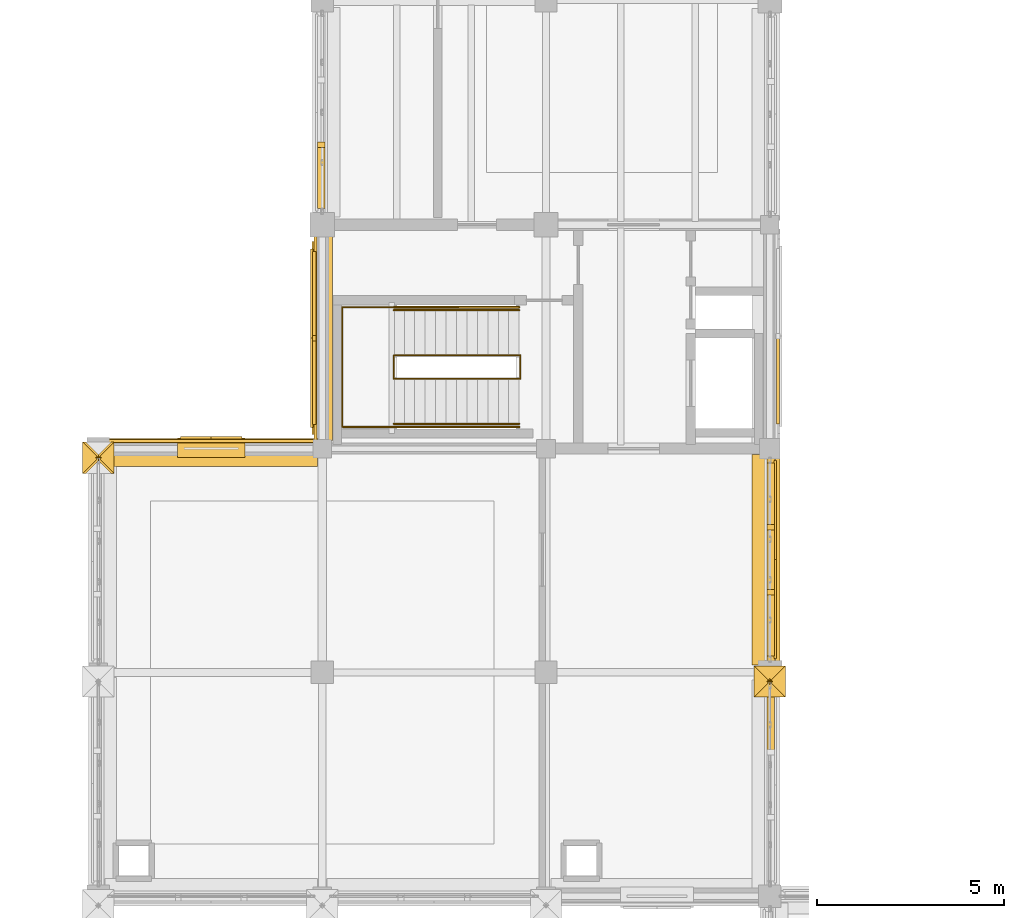
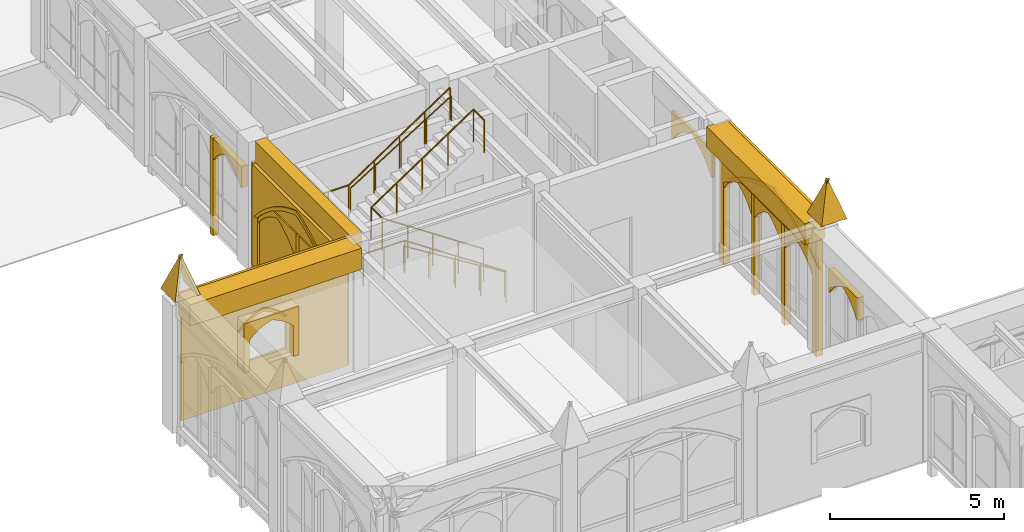
# One storey, part 91 of 127: 31 coverings, 6 railings.
"""IFC4 building model written with IfcOpenShell, lengths in metres."""

from ifc_helpers import new_model, si_unit, direction, frame, origin, origin_2d, place, context, subcontext, project, spatial, polyline, rectangle, circle, outline, extrude, material, type_object, element, save


model = new_model("IFC4")

# Units and contexts
model_context = context("Model", 3, precision=1e-05, world=origin(), true_north=direction((0.0, 1.0)))
body_context = subcontext(model_context, "Body", "Model", "MODEL_VIEW")
ifc_project = project(units=[si_unit("LENGTHUNIT", "METRE"), si_unit("AREAUNIT", "SQUARE_METRE"), si_unit("VOLUMEUNIT", "CUBIC_METRE"), si_unit("PLANEANGLEUNIT", "RADIAN"), si_unit("MASSUNIT", "GRAM", prefix="KILO")], contexts=[model_context])

# Site, building, storey
site_placement = place(None, origin())
site = spatial("IfcSite", under=ifc_project, at=site_placement, CompositionType="ELEMENT")
building_placement = place(site_placement, origin())
building = spatial("IfcBuilding", under=site, at=building_placement, Name="Cumevento Cable Car Station", CompositionType="ELEMENT")
storey_placement = place(building_placement, frame((0.0, 0.0, 4.5)))
storey = spatial("IfcBuildingStorey", under=building, at=storey_placement, Name="L02", CompositionType="ELEMENT", Elevation=4.5)

# Railings
ifc_material_1 = material(Name="Painted Galvanised Architectural Steel", Category="steel")
railing_type_1 = type_object("IfcRailingType", Name="Stair Guardrail GR-S115", PredefinedType="GUARDRAIL", material=ifc_material_1)
railing_1_placement = place(storey_placement, frame((15.280029296875, 28.8701171875, 0.0)))
element("IfcRailing", 1, at=railing_1_placement, inside=storey, type_object=railing_type_1, Name="Stair Well Inner Guardrail ST-03-L02", PredefinedType="GUARDRAIL", context=body_context, shape_type="SweptSolid", body=[
    extrude(circle(Radius=0.02392578125, at=origin_2d()), frame((0.0, 0.0, 1.1259765625), z_axis=(-0.830915400975, 0.0, 0.556398774641), x_axis=(0.0, -1.0, 0.0)), (0.0, 0.0, 1.0), 4.0439453125),
    extrude(circle(Radius=0.02392578125, at=origin_2d()), frame((-3.360107421875, 0.0, 3.3759765625), z_axis=(0.0, 1.0, 0.0), x_axis=(-1.0, 0.0, 0.0)), (0.0, 0.0, 1.0), 0.6298828125),
    extrude(circle(Radius=0.02392578125, at=origin_2d()), frame((-3.360107421875, 0.6298828125, 3.3759765625), z_axis=(0.833193183746, 0.0, 0.552982023722), x_axis=(0.0, 1.0, 0.0)), (0.0, 0.0, 1.0), 4.06884765625),
    extrude(circle(Radius=0.02392578125, at=origin_2d()), frame((0.030029296875, 0.6298828125, 5.6259765625), z_axis=(0.0, -1.0, 0.0), x_axis=(1.0, 0.0, 0.0)), (0.0, 0.0, 1.0), 0.6298828125),
    extrude(circle(Radius=0.02001953125, at=origin_2d()), origin(), (0.0, 0.0, 1.0), 1.101806640625),
    extrude(circle(Radius=0.02001953125, at=origin_2d()), frame((-0.840087890625, 0.0, 0.5625)), (0.0, 0.0, 1.0), 1.101806640625),
    extrude(circle(Radius=0.02001953125, at=origin_2d()), frame((-1.68017578125, 0.0, 1.125)), (0.0, 0.0, 1.0), 1.101806640625),
    extrude(circle(Radius=0.02001953125, at=origin_2d()), frame((-2.52001953125, 0.0, 1.6875)), (0.0, 0.0, 1.0), 1.101806640625),
    extrude(circle(Radius=0.02001953125, at=origin_2d()), frame((-3.360107421875, 0.0, 2.25)), (0.0, 0.0, 1.0), 1.101806640625),
    extrude(circle(Radius=0.02001953125, at=origin_2d()), frame((-3.360107421875, 0.6298828125, 2.25)), (0.0, 0.0, 1.0), 1.101806640625),
    extrude(circle(Radius=0.02001953125, at=origin_2d()), frame((-2.5126953125, 0.6298828125, 2.8125)), (0.0, 0.0, 1.0), 1.101806640625),
    extrude(circle(Radius=0.02001953125, at=origin_2d()), frame((-1.6650390625, 0.6298828125, 3.375)), (0.0, 0.0, 1.0), 1.101806640625),
    extrude(circle(Radius=0.02001953125, at=origin_2d()), frame((-0.8173828125, 0.6298828125, 3.9375)), (0.0, 0.0, 1.0), 1.101806640625),
    extrude(circle(Radius=0.02001953125, at=origin_2d()), frame((0.030029296875, 0.6298828125, 4.5)), (0.0, 0.0, 1.0), 1.101806640625),
    extrude(circle(Radius=0.02001953125, at=origin_2d()), frame((0.030029296875, 0.0, 4.5)), (0.0, 0.0, 1.0), 1.101806640625),
])
railing_2_placement = place(storey_placement, frame((11.919921875, 27.580078125, 2.25)))
element("IfcRailing", 2, at=railing_2_placement, inside=storey, type_object=railing_type_1, Name="Stair Half-Landing Guardrail ST-03-L02", PredefinedType="GUARDRAIL", context=body_context, shape_type="SweptSolid", body=[
    extrude(circle(Radius=0.02392578125, at=origin_2d()), frame((0.0, 0.0, 1.1259765625), z_axis=(-1.0, 0.0, 0.0), x_axis=(0.0, -1.0, 0.0)), (0.0, 0.0, 1.0), 1.3798828125),
    extrude(circle(Radius=0.02392578125, at=origin_2d()), frame((-1.3798828125, 0.0, 1.1259765625), z_axis=(0.0, 1.0, 0.0), x_axis=(-1.0, 0.0, 0.0)), (0.0, 0.0, 1.0), 3.2099609375),
    extrude(circle(Radius=0.02392578125, at=origin_2d()), frame((-1.3798828125, 3.2099609375, 1.1259765625), z_axis=(1.0, 0.0, 0.0), x_axis=(0.0, 1.0, 0.0)), (0.0, 0.0, 1.0), 1.3798828125),
    extrude(circle(Radius=0.02001953125, at=origin_2d()), origin(), (0.0, 0.0, 1.0), 1.101806640625),
    extrude(circle(Radius=0.02001953125, at=origin_2d()), frame((-0.68994140625, 0.0, 0.0)), (0.0, 0.0, 1.0), 1.101806640625),
    extrude(circle(Radius=0.02001953125, at=origin_2d()), frame((-1.3798828125, 0.0, 0.0)), (0.0, 0.0, 1.0), 1.101806640625),
    extrude(circle(Radius=0.02001953125, at=origin_2d()), frame((-1.3798828125, 0.802490234375, 0.0)), (0.0, 0.0, 1.0), 1.101806640625),
    extrude(circle(Radius=0.02001953125, at=origin_2d()), frame((-1.3798828125, 1.60498046875, 0.0)), (0.0, 0.0, 1.0), 1.101806640625),
    extrude(circle(Radius=0.02001953125, at=origin_2d()), frame((-1.3798828125, 2.407470703125, 0.0)), (0.0, 0.0, 1.0), 1.101806640625),
    extrude(circle(Radius=0.02001953125, at=origin_2d()), frame((-1.3798828125, 3.2099609375, 0.0)), (0.0, 0.0, 1.0), 1.101806640625),
    extrude(circle(Radius=0.02001953125, at=origin_2d()), frame((-0.68994140625, 3.2099609375, 0.0)), (0.0, 0.0, 1.0), 1.101806640625),
    extrude(circle(Radius=0.02001953125, at=origin_2d()), frame((0.0, 3.2099609375, 0.0)), (0.0, 0.0, 1.0), 1.101806640625),
])
railing_3_placement = place(storey_placement, frame((15.280029296875, 27.580078125, 0.0)))
element("IfcRailing", 3, at=railing_3_placement, inside=storey, type_object=railing_type_1, Name="Stair Outer Guardrail ST-03-L02 F1", PredefinedType="GUARDRAIL", context=body_context, shape_type="SweptSolid", body=[
    extrude(circle(Radius=0.02392578125, at=origin_2d()), frame((0.0, 0.0, 1.1259765625), z_axis=(-0.830915400975, 0.0, 0.556398774641), x_axis=(0.0, -1.0, 0.0)), (0.0, 0.0, 1.0), 4.0439453125),
    extrude(circle(Radius=0.02001953125, at=origin_2d()), origin(), (0.0, 0.0, 1.0), 1.101806640625),
    extrude(circle(Radius=0.02001953125, at=origin_2d()), frame((-0.840087890625, 0.0, 0.5625)), (0.0, 0.0, 1.0), 1.101806640625),
    extrude(circle(Radius=0.02001953125, at=origin_2d()), frame((-1.68017578125, 0.0, 1.125)), (0.0, 0.0, 1.0), 1.101806640625),
    extrude(circle(Radius=0.02001953125, at=origin_2d()), frame((-2.52001953125, 0.0, 1.6875)), (0.0, 0.0, 1.0), 1.101806640625),
    extrude(circle(Radius=0.02001953125, at=origin_2d()), frame((-3.360107421875, 0.0, 2.25)), (0.0, 0.0, 1.0), 1.101806640625),
])
railing_4_placement = place(storey_placement, frame((11.919921875, 30.7900390625, 2.25)))
element("IfcRailing", 4, at=railing_4_placement, inside=storey, type_object=railing_type_1, Name="Stair Outer Guardrail ST-03-L02 F2", PredefinedType="GUARDRAIL", context=body_context, shape_type="SweptSolid", body=[
    extrude(circle(Radius=0.02392578125, at=origin_2d()), frame((0.0, 0.0, 1.1259765625), z_axis=(0.830915400975, 0.0, 0.556398774641), x_axis=(0.0, 1.0, 0.0)), (0.0, 0.0, 1.0), 4.0439453125),
    extrude(circle(Radius=0.02001953125, at=origin_2d()), origin(), (0.0, 0.0, 1.0), 1.101806640625),
    extrude(circle(Radius=0.02001953125, at=origin_2d()), frame((0.840087890625, 0.0, 0.5625)), (0.0, 0.0, 1.0), 1.101806640625),
    extrude(circle(Radius=0.02001953125, at=origin_2d()), frame((1.68017578125, 0.0, 1.125)), (0.0, 0.0, 1.0), 1.101806640625),
    extrude(circle(Radius=0.02001953125, at=origin_2d()), frame((2.52001953125, 0.0, 1.6875)), (0.0, 0.0, 1.0), 1.101806640625),
    extrude(circle(Radius=0.02001953125, at=origin_2d()), frame((3.360107421875, 0.0, 2.25)), (0.0, 0.0, 1.0), 1.101806640625),
])
ifc_material_2 = material(Name="Brushed Stainless Steel Handrail Tube", Category="steel")
railing_type_2 = type_object("IfcRailingType", Name="Stair Handrail HR-090", PredefinedType="HANDRAIL", material=ifc_material_2)
railing_5_placement = place(storey_placement, frame((15.280029296875, 27.659912109375, 0.17626953125)))
element("IfcRailing", 5, at=railing_5_placement, inside=storey, type_object=railing_type_2, Name="Stair Pitch Handrail ST-03-L02 F1", PredefinedType="HANDRAIL", context=body_context, shape_type="SweptSolid", body=[
    extrude(circle(Radius=0.02099609375, at=origin_2d()), frame((0.0, 0.0, 0.87890625), z_axis=(-0.850623216509, 0.0, 0.525775754039), x_axis=(0.0, -1.0, 0.0)), (0.0, 0.0, 1.0), 3.9501953125),
    extrude(circle(Radius=0.01611328125, at=origin_2d()), origin(), (0.0, 0.0, 1.0), 0.85791015625),
    extrude(circle(Radius=0.01611328125, at=origin_2d()), frame((-0.840087890625, 0.0, 0.519287109375)), (0.0, 0.0, 1.0), 0.85791015625),
    extrude(circle(Radius=0.01611328125, at=origin_2d()), frame((-1.68017578125, 0.0, 1.03857421875)), (0.0, 0.0, 1.0), 0.85791015625),
    extrude(circle(Radius=0.01611328125, at=origin_2d()), frame((-2.52001953125, 0.0, 1.5576171875)), (0.0, 0.0, 1.0), 0.85791015625),
    extrude(circle(Radius=0.01611328125, at=origin_2d()), frame((-3.360107421875, 0.0, 2.076904296875)), (0.0, 0.0, 1.0), 0.85791015625),
])
railing_6_placement = place(storey_placement, frame((11.919921875, 30.7099609375, 2.42626953125)))
element("IfcRailing", 6, at=railing_6_placement, inside=storey, type_object=railing_type_2, Name="Stair Pitch Handrail ST-03-L02 F2", PredefinedType="HANDRAIL", context=body_context, shape_type="SweptSolid", body=[
    extrude(circle(Radius=0.02099609375, at=origin_2d()), frame((0.0, 0.0, 0.87890625), z_axis=(0.850623216509, 0.0, 0.525775754039), x_axis=(0.0, 1.0, 0.0)), (0.0, 0.0, 1.0), 3.9501953125),
    extrude(circle(Radius=0.01611328125, at=origin_2d()), origin(), (0.0, 0.0, 1.0), 0.85791015625),
    extrude(circle(Radius=0.01611328125, at=origin_2d()), frame((0.840087890625, 0.0, 0.519287109375)), (0.0, 0.0, 1.0), 0.85791015625),
    extrude(circle(Radius=0.01611328125, at=origin_2d()), frame((1.68017578125, 0.0, 1.03857421875)), (0.0, 0.0, 1.0), 0.85791015625),
    extrude(circle(Radius=0.01611328125, at=origin_2d()), frame((2.52001953125, 0.0, 1.5576171875)), (0.0, 0.0, 1.0), 0.85791015625),
    extrude(circle(Radius=0.01611328125, at=origin_2d()), frame((3.360107421875, 0.0, 2.076904296875)), (0.0, 0.0, 1.0), 0.85791015625),
])

# Coverings
ifc_material_3 = material(Name="Gnaisse Facoidal Stone Ashlar 85 MPa", Category="masonry")
covering_type = type_object("IfcCoveringType", Name="Gnaisse Ashlar Cladding CV-CL01", PredefinedType="CLADDING", material=ifc_material_3)
covering_1_placement = place(storey_placement, frame((4.419921875, 27.175048828125, 4.8701171875), z_axis=(0.951573760476, 0.0, 0.30742052367), x_axis=(0.0, -1.0, 0.0)))
element("IfcCovering", 7, at=covering_1_placement, inside=storey, type_object=covering_type, Name="Gothic Buttress Pinnacle Spire Facet 2 bt:4.0:27.0", PredefinedType="CLADDING", context=body_context, shape_type="SweptSolid", body=[
    extrude(outline(polyline([(0.0, 0.0), (0.840087890625, 0.0), (0.420166015625, -1.3659526370817139), (0.0, 0.0)])), origin(), (0.0, 0.0, -1.0), 0.0849609375),
])
covering_2_placement = place(storey_placement, frame((3.580078125, 26.3349609375, 4.8701171875), z_axis=(-0.951573760476, 0.0, 0.30742052367), x_axis=(0.0, 1.0, 0.0)))
element("IfcCovering", 8, at=covering_2_placement, inside=storey, type_object=covering_type, Name="Gothic Buttress Pinnacle Spire Facet 4 bt:4.0:27.0", PredefinedType="CLADDING", context=body_context, shape_type="SweptSolid", body=[
    extrude(outline(polyline([(0.0, 0.0), (0.840087890625, 0.0), (0.419921875, -1.3659526370817139), (0.0, 0.0)])), origin(), (0.0, 0.0, -1.0), 0.0849609375),
])
covering_3_placement = place(storey_placement, frame((21.580078125, 21.175048828125, 4.8701171875), z_axis=(0.0, 0.951521464273, 0.307582351618), x_axis=(1.0, 0.0, 0.0)))
element("IfcCovering", 9, at=covering_3_placement, inside=storey, type_object=covering_type, Name="Gothic Buttress Pinnacle Spire Facet 1 bt:22.0:21.0", PredefinedType="CLADDING", context=body_context, shape_type="SweptSolid", body=[
    extrude(outline(polyline([(0.0, 0.0), (0.83984375, 0.0), (0.419921875, -1.3660277106754315), (0.0, 0.0)])), origin(), (0.0, 0.0, -1.0), 0.0849609375),
])
covering_4_placement = place(storey_placement, frame((22.419921875, 21.175048828125, 4.8701171875), z_axis=(0.951573760476, 0.0, 0.30742052367), x_axis=(0.0, -1.0, 0.0)))
element("IfcCovering", 10, at=covering_4_placement, inside=storey, type_object=covering_type, Name="Gothic Buttress Pinnacle Spire Facet 2 bt:22.0:21.0", PredefinedType="CLADDING", context=body_context, shape_type="SweptSolid", body=[
    extrude(outline(polyline([(0.0, 0.0), (0.840087890625, 0.0), (0.420166015625, -1.3659526370817139), (0.0, 0.0)])), origin(), (0.0, 0.0, -1.0), 0.0849609375),
])
covering_5_placement = place(storey_placement, frame((22.419921875, 20.3349609375, 4.8701171875), z_axis=(0.0, -0.951573760476, 0.30742052367), x_axis=(-1.0, 0.0, 0.0)))
element("IfcCovering", 11, at=covering_5_placement, inside=storey, type_object=covering_type, Name="Gothic Buttress Pinnacle Spire Facet 3 bt:22.0:21.0", PredefinedType="CLADDING", context=body_context, shape_type="SweptSolid", body=[
    extrude(outline(polyline([(0.0, 0.0), (0.83984375, 0.0), (0.419921875, -1.3659526370817139), (0.0, 0.0)])), origin(), (0.0, 0.0, -1.0), 0.0849609375),
])
covering_6_placement = place(storey_placement, frame((21.580078125, 20.3349609375, 4.8701171875), z_axis=(-0.951573760476, 0.0, 0.30742052367), x_axis=(0.0, 1.0, 0.0)))
element("IfcCovering", 12, at=covering_6_placement, inside=storey, type_object=covering_type, Name="Gothic Buttress Pinnacle Spire Facet 4 bt:22.0:21.0", PredefinedType="CLADDING", context=body_context, shape_type="SweptSolid", body=[
    extrude(outline(polyline([(0.0, 0.0), (0.840087890625, 0.0), (0.419921875, -1.3659526370817139), (0.0, 0.0)])), origin(), (0.0, 0.0, -1.0), 0.0849609375),
])
covering_7_placement = place(storey_placement, frame((7.02490234375, 26.85009765625, 3.718017578125), z_axis=(0.0, 0.0, 1.0), x_axis=(1.0, 0.0, 0.0)))
element("IfcCovering", 13, at=covering_7_placement, inside=storey, type_object=covering_type, Name="Gothic Stone Spandrel Stringcourse sc:0337", PredefinedType="CLADDING", context=body_context, shape_type="SweptSolid", body=[
    extrude(rectangle(XDim=5.68994140625, YDim=0.659912109375, at=origin_2d()), origin(), (0.0, 0.0, 1.0), 0.7470703125),
])
covering_8_placement = place(storey_placement, frame((7.02490234375, 27.20751953125, 4.3349609375), z_axis=(0.0, 0.0, 1.0), x_axis=(1.0, 0.0, 0.0)))
element("IfcCovering", 14, at=covering_8_placement, inside=storey, type_object=covering_type, Name="Gothic Cornice Dripstone Lip sc:0337", PredefinedType="CLADDING", context=body_context, shape_type="SweptSolid", body=[
    extrude(rectangle(XDim=5.72998046875, YDim=0.114990234375, at=origin_2d()), origin(), (0.0, 0.0, 1.0), 0.1298828125),
])
covering_9_placement = place(storey_placement, frame((21.85009765625, 24.02490234375, 3.718017578125), z_axis=(0.0, 0.0, 1.0), x_axis=(0.0, -1.0, 0.0)))
element("IfcCovering", 15, at=covering_9_placement, inside=storey, type_object=covering_type, Name="Gothic Stone Spandrel Stringcourse sc:0341", PredefinedType="CLADDING", context=body_context, shape_type="SweptSolid", body=[
    extrude(rectangle(XDim=5.639892578125, YDim=0.659912109375, at=origin_2d()), origin(), (0.0, 0.0, 1.0), 0.7470703125),
])
covering_10_placement = place(storey_placement, frame((22.20751953125, 24.02490234375, 4.3349609375), z_axis=(0.0, 0.0, 1.0), x_axis=(0.0, -1.0, 0.0)))
element("IfcCovering", 16, at=covering_10_placement, inside=storey, type_object=covering_type, Name="Gothic Cornice Dripstone Lip sc:0341", PredefinedType="CLADDING", context=body_context, shape_type="SweptSolid", body=[
    extrude(rectangle(XDim=5.679931640625, YDim=0.114990234375, at=origin_2d()), origin(), (0.0, 0.0, 1.0), 0.1298828125),
])
covering_11_placement = place(storey_placement, frame((10.090087890625, 29.96240234375, 3.718017578125), z_axis=(0.0, 0.0, 1.0), x_axis=(0.0, 1.0, 0.0)))
element("IfcCovering", 17, at=covering_11_placement, inside=storey, type_object=covering_type, Name="Gothic Stone Spandrel Stringcourse sc:0342", PredefinedType="CLADDING", context=body_context, shape_type="SweptSolid", body=[
    extrude(rectangle(XDim=5.485107421875, YDim=0.3798828125, at=origin_2d()), origin(), (0.0, 0.0, 1.0), 0.7470703125),
])
covering_12_placement = place(storey_placement, frame((22.0, 20.544921875, 2.33349609375), z_axis=(0.0, 0.0, 1.0), x_axis=(0.0, -1.0, 0.0)))
element("IfcCovering", 18, at=covering_12_placement, inside=storey, type_object=covering_type, Name="Gothic Ogival Pointed-Arch Stone Spandrel cw_ogival:0049:sub:0", PredefinedType="CLADDING", context=body_context, shape_type="SweptSolid", body=[
    extrude(outline(polyline([(-0.02001953125, 0.0), (-0.02001953125, 0.791259765625), (1.6650390625, 0.791259765625), (1.6650390625, 0.0), (1.60498046875, 0.0), (1.5078125, 0.145263671875), (1.395263671875, 0.279052734375), (1.26904296875, 0.400146484375), (1.13037109375, 0.506591796875), (0.98095703125, 0.59716796875), (0.822509765625, 0.67138671875), (0.6640625, 0.59716796875), (0.5146484375, 0.506591796875), (0.3759765625, 0.400146484375), (0.249755859375, 0.279052734375), (0.13720703125, 0.145263671875), (0.0400390625, 0.0), (-0.02001953125, 0.0)])), frame((0.0, 0.1240234375, 0.0), z_axis=(0.0, -1.0, 0.0), x_axis=(1.0, 0.0, 0.0)), (0.0, 0.0, 1.0), 0.199951171875),
])
placement_1 = place(storey_placement, frame((22.0, 26.72509765625, -0.3701171875), z_axis=(0.0, 0.0, 1.0), x_axis=(0.0, -1.0, 0.0)))
element("IfcCovering", 19, at=placement_1, inside=storey, type_object=covering_type, Name="Gothic Ogival Pointed-Arch Stone Spandrel cw_ogival:0051", PredefinedType="CLADDING", context=body_context, shape_type="SweptSolid", body=[
    extrude(outline(polyline([(-0.080078125, 0.0), (-0.080078125, 4.22802734375), (5.47998046875, 4.22802734375), (5.47998046875, 0.0), (5.239990234375, 0.0), (5.239990234375, 2.8994140625), (4.94873046875, 3.093017578125), (4.648681640625, 3.272216796875), (4.34033203125, 3.4365234375), (4.0244140625, 3.586181640625), (3.70166015625, 3.720458984375), (3.372802734375, 3.839111328125), (3.03857421875, 3.94140625), (2.699951171875, 4.02783203125), (2.361328125, 3.94140625), (2.027099609375, 3.839111328125), (1.6982421875, 3.720458984375), (1.37548828125, 3.586181640625), (1.0595703125, 3.4365234375), (0.751220703125, 3.272216796875), (0.451171875, 3.093017578125), (0.159912109375, 2.8994140625), (0.159912109375, 0.0), (-0.080078125, 0.0)])), frame((0.0, 0.139892578125, 0.0), z_axis=(0.0, -1.0, 0.0), x_axis=(1.0, 0.0, 0.0)), (0.0, 0.0, 1.0), 0.219970703125),
])
covering_14_placement = place(storey_placement, frame((22.0, 26.72509765625, 2.529541015625), z_axis=(0.0, 0.0, 1.0), x_axis=(0.0, -1.0, 0.0)))
element("IfcCovering", 20, at=covering_14_placement, inside=storey, type_object=covering_type, Name="Gothic Pointed Archivolt Hood Moulding cw_ogival:0051", PredefinedType="CLADDING", context=body_context, shape_type="SweptSolid", body=[
    extrude(outline(polyline([(0.159912109375, 0.0), (0.451171875, 0.193359375), (0.751220703125, 0.37255859375), (1.0595703125, 0.537109375), (1.37548828125, 0.686767578125), (1.6982421875, 0.821044921875), (2.027099609375, 0.939453125), (2.361328125, 1.0419921875), (2.699951171875, 1.12841796875), (3.03857421875, 1.0419921875), (3.372802734375, 0.939453125), (3.70166015625, 0.821044921875), (4.0244140625, 0.686767578125), (4.34033203125, 0.537109375), (4.648681640625, 0.37255859375), (4.94873046875, 0.193359375), (5.239990234375, 0.0), (5.35009765625, 0.0), (5.050048828125, 0.21630859375), (4.73974609375, 0.4169921875), (4.41943359375, 0.6015625), (4.090087890625, 0.769287109375), (3.75244140625, 0.920166015625), (3.40771484375, 1.05322265625), (3.056640625, 1.168701171875), (2.699951171875, 1.26611328125), (2.34326171875, 1.168701171875), (1.9921875, 1.05322265625), (1.6474609375, 0.920166015625), (1.309814453125, 0.769287109375), (0.98046875, 0.6015625), (0.66015625, 0.4169921875), (0.349853515625, 0.21630859375), (0.050048828125, 0.0), (0.159912109375, 0.0)])), frame((0.0, 0.181884765625, 0.0), z_axis=(0.0, -1.0, 0.0), x_axis=(1.0, 0.0, 0.0)), (0.0, 0.0, 1.0), 0.06689453125),
])
element("IfcCovering", 21, at=placement_1, inside=storey, type_object=covering_type, Name="Gothic Bifora Stone Colonnette cw_ogival:0051 #1", PredefinedType="CLADDING", context=body_context, shape_type="SweptSolid", body=[
    extrude(outline(polyline([(1.75341796875, -0.02001953125), (1.9033203125, -0.02001953125), (1.9033203125, 3.486328125), (1.75341796875, 3.486328125), (1.75341796875, -0.02001953125)])), frame((0.0, 0.1279296875, 0.0), z_axis=(0.0, -1.0, 0.0), x_axis=(1.0, 0.0, 0.0)), (0.0, 0.0, 1.0), 0.205078125),
])
element("IfcCovering", 22, at=placement_1, inside=storey, type_object=covering_type, Name="Gothic Bifora Stone Colonnette cw_ogival:0051 #2", PredefinedType="CLADDING", context=body_context, shape_type="SweptSolid", body=[
    extrude(outline(polyline([(3.49658203125, -0.02001953125), (3.646728515625, -0.02001953125), (3.646728515625, 3.486328125), (3.49658203125, 3.486328125), (3.49658203125, -0.02001953125)])), frame((0.0, 0.1279296875, 0.0), z_axis=(0.0, -1.0, 0.0), x_axis=(1.0, 0.0, 0.0)), (0.0, 0.0, 1.0), 0.205078125),
])
for number, where, z_axis, x_axis, name in (
    (23, (22.0, 26.594970703125, 2.349609375), (0.0, 0.0, 1.0), (0.0, -1.0, 0.0), "Gothic Ogival Pointed-Arch Stone Spandrel cw_ogival:0051:sub:0"),
    (24, (22.0, 24.8515625, 2.349609375), (0.0, 0.0, 1.0), (0.0, -1.0, 0.0), "Gothic Ogival Pointed-Arch Stone Spandrel cw_ogival:0051:sub:1"),
    (25, (22.0, 23.1083984375, 2.349609375), (0.0, 0.0, 1.0), (0.0, -1.0, 0.0), "Gothic Ogival Pointed-Arch Stone Spandrel cw_ogival:0051:sub:2"),
):
    element("IfcCovering", number, at=place(storey_placement, frame(where, z_axis=z_axis, x_axis=x_axis)), inside=storey, type_object=covering_type, Name=name, PredefinedType="CLADDING", context=body_context, shape_type="SweptSolid", body=[
        extrude(outline(polyline([(-0.02001953125, 0.0), (-0.02001953125, 0.766845703125), (1.67333984375, 0.766845703125), (1.67333984375, 0.0), (1.61328125, 0.0), (1.51318359375, 0.140625), (1.39892578125, 0.269775390625), (1.271484375, 0.38623046875), (1.1328125, 0.488525390625), (0.98388671875, 0.57568359375), (0.82666015625, 0.646728515625), (0.66943359375, 0.57568359375), (0.5205078125, 0.488525390625), (0.3818359375, 0.38623046875), (0.25439453125, 0.269775390625), (0.14013671875, 0.140625), (0.0400390625, 0.0), (-0.02001953125, 0.0)])), frame((0.0, 0.1240234375, 0.0), z_axis=(0.0, -1.0, 0.0), x_axis=(1.0, 0.0, 0.0)), (0.0, 0.0, 1.0), 0.199951171875),
    ])
covering_17_placement = place(storey_placement, frame((10.0, 33.324951171875, -0.27001953125), z_axis=(0.0, 0.0, 1.0), x_axis=(0.0, 1.0, 0.0)))
element("IfcCovering", 26, at=covering_17_placement, inside=storey, type_object=covering_type, Name="Gothic Bifora Stone Colonnette cw_ogival:0053 #1", PredefinedType="CLADDING", context=body_context, shape_type="SweptSolid", body=[
    extrude(outline(polyline([(1.7451171875, -0.02001953125), (1.89501953125, -0.02001953125), (1.89501953125, 3.403564453125), (1.7451171875, 3.403564453125), (1.7451171875, -0.02001953125)])), frame((0.0, 0.1279296875, 0.0), z_axis=(0.0, -1.0, 0.0), x_axis=(1.0, 0.0, 0.0)), (0.0, 0.0, 1.0), 0.205078125),
])
covering_18_placement = place(storey_placement, frame((10.0, 33.455078125, 2.385498046875), z_axis=(0.0, 0.0, 1.0), x_axis=(0.0, 1.0, 0.0)))
element("IfcCovering", 27, at=covering_18_placement, inside=storey, type_object=covering_type, Name="Gothic Ogival Pointed-Arch Stone Spandrel cw_ogival:0053:sub:0", PredefinedType="CLADDING", context=body_context, shape_type="SweptSolid", body=[
    extrude(outline(polyline([(-0.02001953125, 0.0), (-0.02001953125, 0.748046875), (1.6650390625, 0.748046875), (1.6650390625, 0.0), (1.60498046875, 0.0), (1.504150390625, 0.13671875), (1.389892578125, 0.262451171875), (1.262939453125, 0.37548828125), (1.125244140625, 0.474853515625), (0.977783203125, 0.559326171875), (0.822509765625, 0.628173828125), (0.667236328125, 0.559326171875), (0.519775390625, 0.474853515625), (0.382080078125, 0.37548828125), (0.255126953125, 0.262451171875), (0.140869140625, 0.13671875), (0.0400390625, 0.0), (-0.02001953125, 0.0)])), frame((0.0, 0.1240234375, 0.0), z_axis=(0.0, -1.0, 0.0), x_axis=(1.0, 0.0, 0.0)), (0.0, 0.0, 1.0), 0.199951171875),
])
covering_19_placement = place(storey_placement, frame((4.300048828125, 27.0, 0.0), z_axis=(0.0, 0.0, 1.0), x_axis=(1.0, 0.0, 0.0)))
element("IfcCovering", 28, at=covering_19_placement, inside=storey, type_object=covering_type, Name="Exterior Gnaisse Stone Wall Ashlar #189", PredefinedType="CLADDING", context=body_context, shape_type="SweptSolid", body=[
    extrude(outline(polyline([(-0.0400390625, -0.02001953125), (5.489990234375, -0.02001953125), (5.489990234375, 3.798095703125), (-0.0400390625, 3.798095703125), (-0.0400390625, -0.02001953125)]), holes=[polyline([(2.010009765625, 1.31005859375), (3.43994140625, 1.31005859375), (3.43994140625, 2.739990234375), (2.010009765625, 2.739990234375), (2.010009765625, 1.31005859375)])]), frame((0.0, 0.2451171875, 0.0), z_axis=(0.0, -1.0, 0.0), x_axis=(1.0, 0.0, 0.0)), (0.0, 0.0, 1.0), 0.0849609375),
])
covering_20_placement = place(storey_placement, frame((6.159912109375, 27.0, 1.25), z_axis=(0.0, 0.0, 1.0), x_axis=(1.0, 0.0, 0.0)))
element("IfcCovering", 29, at=covering_20_placement, inside=storey, type_object=covering_type, Name="Gothic Ogival Pointed-Arch Stone Spandrel op_ogival:0189:1", PredefinedType="CLADDING", context=body_context, shape_type="SweptSolid", body=[
    extrude(outline(polyline([(-0.0400390625, 0.0), (-0.0400390625, 1.719970703125), (1.77001953125, 1.719970703125), (1.77001953125, 0.0), (1.590087890625, 0.0), (1.590087890625, 1.093994140625), (1.501708984375, 1.179443359375), (1.407470703125, 1.25830078125), (1.3076171875, 1.330078125), (1.202880859375, 1.39453125), (1.093994140625, 1.451171875), (0.98095703125, 1.499755859375), (0.864990234375, 1.5400390625), (0.7490234375, 1.499755859375), (0.635986328125, 1.451171875), (0.527099609375, 1.39453125), (0.42236328125, 1.330078125), (0.322509765625, 1.25830078125), (0.228271484375, 1.179443359375), (0.139892578125, 1.093994140625), (0.139892578125, 0.0), (-0.0400390625, 0.0)])), frame((0.0, 0.282958984375, 0.0), z_axis=(0.0, -1.0, 0.0), x_axis=(1.0, 0.0, 0.0)), (0.0, 0.0, 1.0), 0.52001953125),
])
covering_21_placement = place(storey_placement, frame((6.159912109375, 27.0, 2.343994140625), z_axis=(0.0, 0.0, 1.0), x_axis=(1.0, 0.0, 0.0)))
element("IfcCovering", 30, at=covering_21_placement, inside=storey, type_object=covering_type, Name="Gothic Pointed Archivolt Hood Moulding op_ogival:0189:1", PredefinedType="CLADDING", context=body_context, shape_type="SweptSolid", body=[
    extrude(outline(polyline([(0.139892578125, 0.0), (0.228271484375, 0.08544921875), (0.322509765625, 0.164306640625), (0.42236328125, 0.236083984375), (0.527099609375, 0.300537109375), (0.635986328125, 0.357177734375), (0.7490234375, 0.40576171875), (0.864990234375, 0.446044921875), (0.98095703125, 0.40576171875), (1.093994140625, 0.357177734375), (1.202880859375, 0.300537109375), (1.3076171875, 0.236083984375), (1.407470703125, 0.164306640625), (1.501708984375, 0.08544921875), (1.590087890625, 0.0), (1.68896484375, 0.0), (1.592529296875, 0.108154296875), (1.488037109375, 0.20849609375), (1.375732421875, 0.30029296875), (1.25634765625, 0.382568359375), (1.131103515625, 0.455322265625), (1.000244140625, 0.517822265625), (0.864990234375, 0.56982421875), (0.729736328125, 0.517822265625), (0.598876953125, 0.455322265625), (0.4736328125, 0.382568359375), (0.354248046875, 0.30029296875), (0.241943359375, 0.20849609375), (0.137451171875, 0.108154296875), (0.041015625, 0.0), (0.139892578125, 0.0)])), frame((0.0, 0.324951171875, 0.0), z_axis=(0.0, -1.0, 0.0), x_axis=(1.0, 0.0, 0.0)), (0.0, 0.0, 1.0), 0.06689453125),
])
covering_22_placement = place(storey_placement, frame((10.0, 27.25, 0.0), z_axis=(0.0, 0.0, 1.0), x_axis=(0.0, 1.0, 0.0)))
element("IfcCovering", 31, at=covering_22_placement, inside=storey, type_object=covering_type, Name="Exterior Gnaisse Stone Wall Ashlar #191", PredefinedType="CLADDING", context=body_context, shape_type="SweptSolid", body=[
    extrude(outline(polyline([(-0.0400390625, -0.02001953125), (5.465087890625, -0.02001953125), (5.465087890625, 3.798095703125), (-0.0400390625, 3.798095703125), (-0.0400390625, -0.02001953125)])), frame((0.0, 0.222412109375, 0.0), z_axis=(0.0, -1.0, 0.0), x_axis=(1.0, 0.0, 0.0)), (0.0, 0.0, 1.0), 0.0849609375),
])
placement_2 = place(storey_placement, frame((10.0, 27.429931640625, 0.300048828125), z_axis=(0.0, 0.0, 1.0), x_axis=(0.0, 1.0, 0.0)))
element("IfcCovering", 32, at=placement_2, inside=storey, type_object=covering_type, Name="Gothic Ogival Pointed-Arch Stone Spandrel blind_ogival:0191", PredefinedType="CLADDING", context=body_context, shape_type="SweptSolid", body=[
    extrude(outline(polyline([(-0.050048828125, 0.0), (-0.050048828125, 3.51806640625), (5.114990234375, 3.51806640625), (5.114990234375, 0.0), (4.804931640625, 0.0), (4.804931640625, 1.815673828125), (4.533447265625, 2.0986328125), (4.2412109375, 2.360107421875), (3.929931640625, 2.5986328125), (3.6015625, 2.812744140625), (3.2578125, 3.00146484375), (2.90087890625, 3.16357421875), (2.532470703125, 3.298095703125), (2.1640625, 3.16357421875), (1.80712890625, 3.00146484375), (1.46337890625, 2.812744140625), (1.135009765625, 2.5986328125), (0.82373046875, 2.360107421875), (0.531494140625, 2.0986328125), (0.260009765625, 1.815673828125), (0.260009765625, 0.0), (-0.050048828125, 0.0)])), frame((0.0, 0.277587890625, 0.0), z_axis=(0.0, -1.0, 0.0), x_axis=(1.0, 0.0, 0.0)), (0.0, 0.0, 1.0), 0.110107421875),
])
covering_24_placement = place(storey_placement, frame((10.0, 27.429931640625, 2.11572265625), z_axis=(0.0, 0.0, 1.0), x_axis=(0.0, 1.0, 0.0)))
element("IfcCovering", 33, at=covering_24_placement, inside=storey, type_object=covering_type, Name="Gothic Pointed Archivolt Hood Moulding blind_ogival:0191", PredefinedType="CLADDING", context=body_context, shape_type="SweptSolid", body=[
    extrude(outline(polyline([(0.260009765625, 0.0), (0.531494140625, 0.282958984375), (0.82373046875, 0.54443359375), (1.135009765625, 0.782958984375), (1.46337890625, 0.9970703125), (1.80712890625, 1.185791015625), (2.1640625, 1.347900390625), (2.532470703125, 1.482421875), (2.90087890625, 1.347900390625), (3.2578125, 1.185791015625), (3.6015625, 0.9970703125), (3.929931640625, 0.782958984375), (4.2412109375, 0.54443359375), (4.533447265625, 0.282958984375), (4.804931640625, 0.0), (4.926025390625, 0.0), (4.64453125, 0.310791015625), (4.33984375, 0.598388671875), (4.01318359375, 0.861083984375), (3.6669921875, 1.097412109375), (3.30322265625, 1.3056640625), (2.92431640625, 1.48486328125), (2.532470703125, 1.633544921875), (2.140625, 1.48486328125), (1.76171875, 1.3056640625), (1.39794921875, 1.097412109375), (1.0517578125, 0.861083984375), (0.72509765625, 0.598388671875), (0.42041015625, 0.310791015625), (0.138916015625, 0.0), (0.260009765625, 0.0)])), frame((0.0, 0.319580078125, 0.0), z_axis=(0.0, -1.0, 0.0), x_axis=(1.0, 0.0, 0.0)), (0.0, 0.0, 1.0), 0.06689453125),
])
element("IfcCovering", 34, at=placement_2, inside=storey, type_object=covering_type, Name="Gothic Bifora Stone Colonnette blind_ogival:0191 #1", PredefinedType="CLADDING", context=body_context, shape_type="SweptSolid", body=[
    extrude(outline(polyline([(2.45751953125, -0.02001953125), (2.607421875, -0.02001953125), (2.607421875, 2.58642578125), (2.45751953125, 2.58642578125), (2.45751953125, -0.02001953125)])), frame((0.0, 0.265380859375, 0.0), z_axis=(0.0, -1.0, 0.0), x_axis=(1.0, 0.0, 0.0)), (0.0, 0.0, 1.0), 0.094970703125),
])
for number, where, z_axis, x_axis, name in (
    (35, (10.0, 27.659912109375, 1.935791015625), (0.0, 0.0, 1.0), (0.0, 1.0, 0.0), "Gothic Ogival Pointed-Arch Stone Spandrel blind_ogival:0191:sub:0"),
    (36, (10.0, 30.007568359375, 1.935791015625), (0.0, 0.0, 1.0), (0.0, 1.0, 0.0), "Gothic Ogival Pointed-Arch Stone Spandrel blind_ogival:0191:sub:1"),
):
    element("IfcCovering", number, at=place(storey_placement, frame(where, z_axis=z_axis, x_axis=x_axis)), inside=storey, type_object=covering_type, Name=name, PredefinedType="CLADDING", context=body_context, shape_type="SweptSolid", body=[
        extrude(outline(polyline([(-0.02001953125, 0.0), (-0.02001953125, 0.95068359375), (2.277587890625, 0.95068359375), (2.277587890625, 0.0), (2.217529296875, 0.0), (2.073974609375, 0.181640625), (1.912841796875, 0.34814453125), (1.73583984375, 0.49755859375), (1.544921875, 0.628662109375), (1.342041015625, 0.740234375), (1.128662109375, 0.830810546875), (0.91552734375, 0.740234375), (0.712646484375, 0.628662109375), (0.521728515625, 0.49755859375), (0.3447265625, 0.34814453125), (0.18359375, 0.181640625), (0.0400390625, 0.0), (-0.02001953125, 0.0)])), frame((0.0, 0.261474609375, 0.0), z_axis=(0.0, -1.0, 0.0), x_axis=(1.0, 0.0, 0.0)), (0.0, 0.0, 1.0), 0.090087890625),
    ])
covering_26_placement = place(storey_placement, frame((22.0, 29.967529296875, 1.935791015625), z_axis=(0.0, 0.0, 1.0), x_axis=(0.0, -1.0, 0.0)))
element("IfcCovering", 37, at=covering_26_placement, inside=storey, type_object=covering_type, Name="Gothic Ogival Pointed-Arch Stone Spandrel blind_ogival:0192:sub:1", PredefinedType="CLADDING", context=body_context, shape_type="SweptSolid", body=[
    extrude(outline(polyline([(-0.02001953125, 0.0), (-0.02001953125, 0.95068359375), (2.302490234375, 0.95068359375), (2.302490234375, 0.0), (2.242431640625, 0.0), (2.096435546875, 0.181884765625), (1.93310546875, 0.348388671875), (1.754150390625, 0.497802734375), (1.56103515625, 0.62890625), (1.356201171875, 0.740234375), (1.141357421875, 0.830810546875), (0.92626953125, 0.740234375), (0.721435546875, 0.62890625), (0.5283203125, 0.497802734375), (0.349365234375, 0.348388671875), (0.18603515625, 0.181884765625), (0.0400390625, 0.0), (-0.02001953125, 0.0)])), frame((0.0, 0.261474609375, 0.0), z_axis=(0.0, -1.0, 0.0), x_axis=(1.0, 0.0, 0.0)), (0.0, 0.0, 1.0), 0.090087890625),
])

save(model, "model.ifc")
